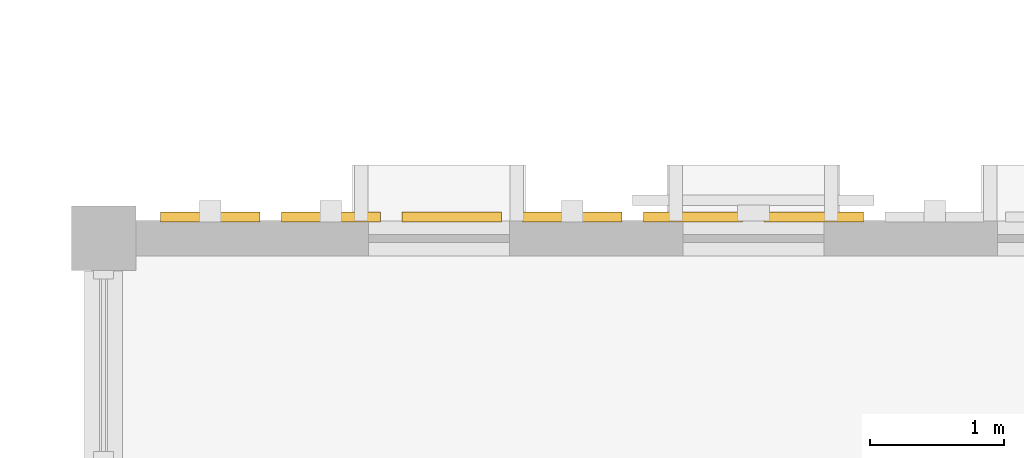
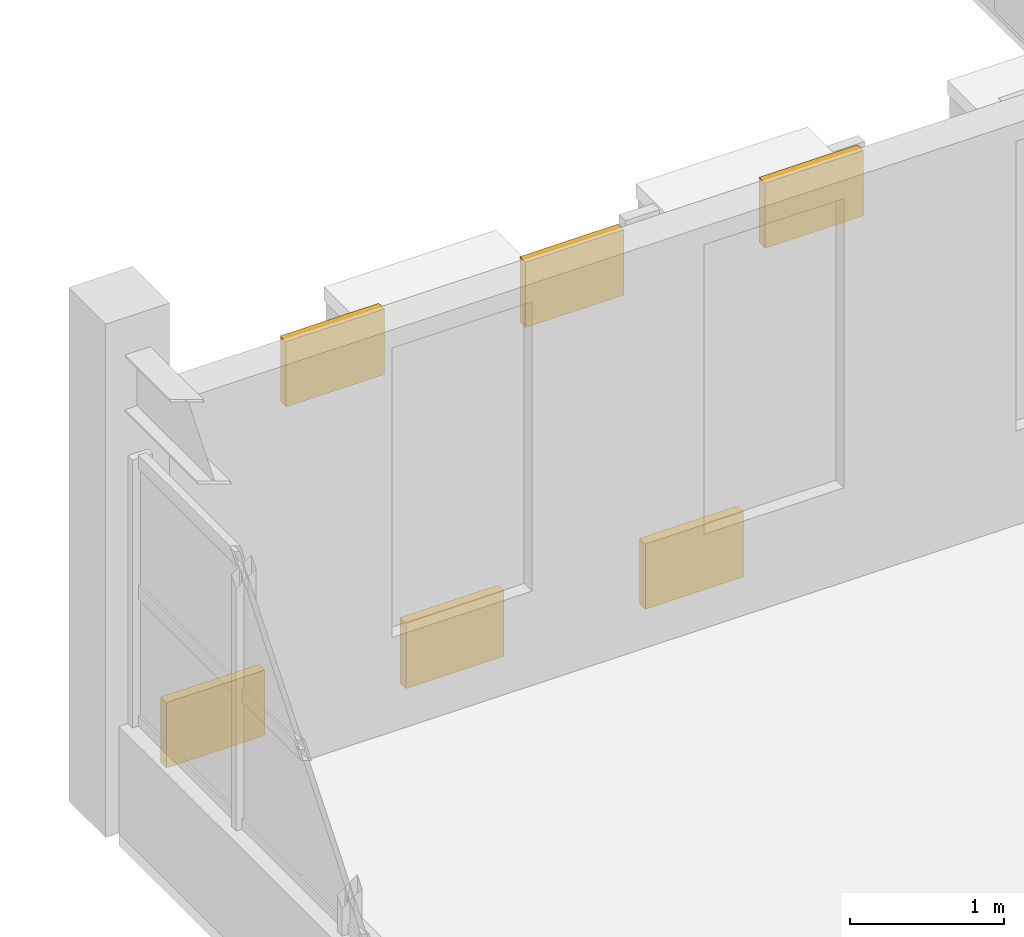
# One storey, part 75 of 79: 6 coverings.
"""IFC4 building model written with IfcOpenShell, lengths in metres."""

from ifc_helpers import new_model, si_unit, direction, frame, origin, origin_2d, place, context, subcontext, project, spatial, rectangle, extrude, material, layer, layer_set, type_object, element, save


model = new_model("IFC4")

# Units and contexts
model_context = context("Model", 3, precision=1e-05, world=origin(), true_north=direction((0.0, 1.0)))
body_context = subcontext(model_context, "Body", "Model", "MODEL_VIEW")
ifc_project = project(units=[si_unit("LENGTHUNIT", "METRE"), si_unit("AREAUNIT", "SQUARE_METRE"), si_unit("VOLUMEUNIT", "CUBIC_METRE"), si_unit("PLANEANGLEUNIT", "RADIAN"), si_unit("MASSUNIT", "GRAM", prefix="KILO")], contexts=[model_context])

# Site, building, storey
site_placement = place(None, origin())
site = spatial("IfcSite", under=ifc_project, at=site_placement, CompositionType="ELEMENT")
building_placement = place(site_placement, origin())
building = spatial("IfcBuilding", under=site, at=building_placement, Name="Nzembalo Square Collegiate School", CompositionType="ELEMENT")
storey_placement = place(building_placement, frame((0.0, 0.0, 9.52001953125)))
storey = spatial("IfcBuildingStorey", under=building, at=storey_placement, Name="L02", CompositionType="ELEMENT", Elevation=9.52001953125)

# Coverings
ifc_material = material(Name="Glazed cobalt ceramic patterned tile")
ifc_layer = layer(ifc_material, 0.074951171875, Name="Glazed cobalt ceramic patterned tile")
ifc_layer_set = layer_set([ifc_layer], Name="Glazed cobalt ceramic patterned tile")
covering_type = type_object("IfcCoveringType", Name="CL01", PredefinedType="CLADDING", material=ifc_layer_set)
for number, where, z_axis, x_axis, name in (
    (1, (131.594970703125, 50.56005859375, 0.099853515625), (0.0, 0.0, 1.0), (1.0, 0.0, 0.0), "Patterned ceramic tile CL01-X0147-0-0"),
    (2, (132.4951171875, 50.56005859375, 2.654052734375), (0.0, 0.0, 1.0), (1.0, 0.0, 0.0), "Patterned ceramic tile CL01-X0147-1-1"),
    (3, (133.39501953125, 50.56005859375, 0.099853515625), (0.0, 0.0, 1.0), (1.0, 0.0, 0.0), "Patterned ceramic tile CL01-X0147-2-0"),
    (4, (134.294921875, 50.56005859375, 2.654052734375), (0.0, 0.0, 1.0), (1.0, 0.0, 0.0), "Patterned ceramic tile CL01-X0147-3-1"),
    (5, (135.195068359375, 50.56005859375, 0.099853515625), (0.0, 0.0, 1.0), (1.0, 0.0, 0.0), "Patterned ceramic tile CL01-X0147-4-0"),
    (6, (136.094970703125, 50.56005859375, 2.654052734375), (0.0, 0.0, 1.0), (1.0, 0.0, 0.0), "Patterned ceramic tile CL01-X0147-5-1"),
):
    element("IfcCovering", number, at=place(storey_placement, frame(where, z_axis=z_axis, x_axis=x_axis)), inside=storey, type_object=covering_type, Name=name, PredefinedType="CLADDING", context=body_context, shape_type="SweptSolid", body=[
        extrude(rectangle(XDim=0.739990234375, YDim=0.074951171875, at=origin_2d()), origin(), (0.0, 0.0, 1.0), 0.52001953125),
    ])

save(model, "model.ifc")
